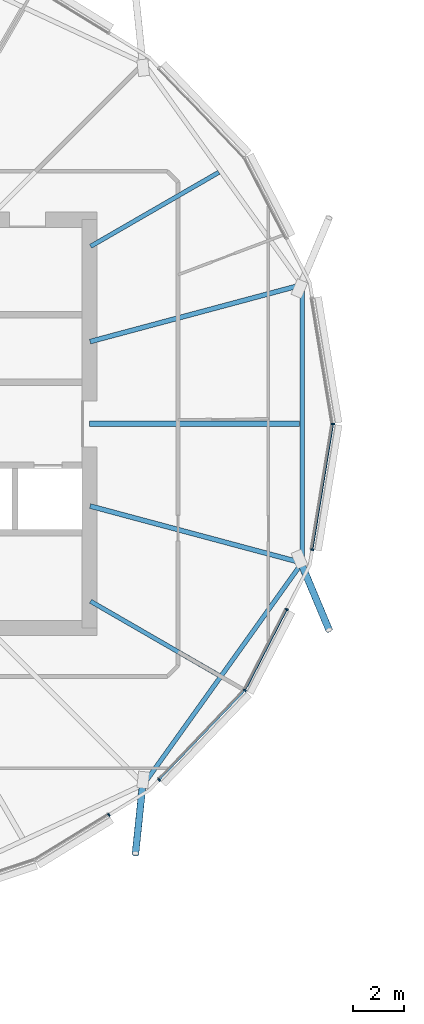
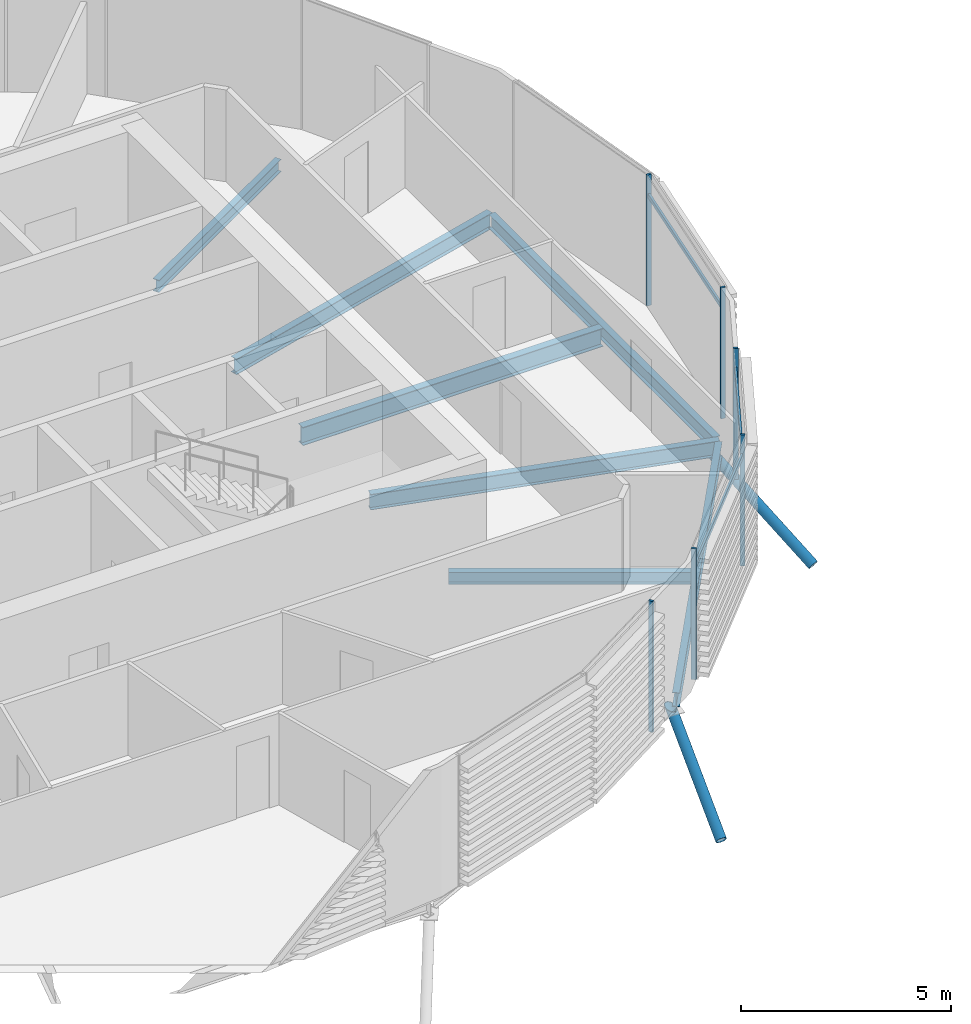
# One storey, part 6 of 36: 11 members, 7 beams, 1 element without a shape of its own.
"""IFC4 building model written with IfcOpenShell, lengths in metres."""

from ifc_helpers import new_model, si_unit, direction, frame, origin, origin_2d, place, context, subcontext, project, spatial, rectangle, hollow_circle, i_section, extrude, clip, halfspace, material, material_profile, profile_set, type_object, element, aggregate, save


model = new_model("IFC4")

# Units and contexts
model_context = context("Model", 3, precision=1e-05, world=origin(), true_north=direction((0.0, 1.0)))
body_context = subcontext(model_context, "Body", "Model", "MODEL_VIEW")
ifc_project = project(units=[si_unit("LENGTHUNIT", "METRE"), si_unit("AREAUNIT", "SQUARE_METRE"), si_unit("VOLUMEUNIT", "CUBIC_METRE"), si_unit("PLANEANGLEUNIT", "RADIAN"), si_unit("MASSUNIT", "GRAM", prefix="KILO")], contexts=[model_context])

# Site, building, storey
site_placement = place(None, origin())
site = spatial("IfcSite", under=ifc_project, at=site_placement, CompositionType="ELEMENT")
building_placement = place(site_placement, origin())
building = spatial("IfcBuilding", under=site, at=building_placement, Name="Rimbun Link Towers", CompositionType="ELEMENT")
storey_placement = place(building_placement, frame((0.0, 0.0, 200.699951171875)))
storey = spatial("IfcBuildingStorey", under=building, at=storey_placement, Name="L49", CompositionType="ELEMENT", Elevation=200.699951171875)

# Curtain wall, members
ifc_material_1 = material(Name="Aluminium 6063-T6 and low-iron glass", Category="aluminium")
curtain_wall_type = type_object("IfcCurtainWallType", Name="CW1-Z3 unitised vision wall (zone 3)", PredefinedType="NOTDEFINED", material=ifc_material_1)
curtain_wall_placement = place(storey_placement, origin())
curtain_wall = element("IfcCurtainWall", 1, at=curtain_wall_placement, inside=storey, type_object=curtain_wall_type, Name="CW1 L49 T1", PredefinedType="NOTDEFINED")
ifc_material_2 = material(Name="Aluminium 6063-T6", Category="aluminium")
ifc_material_profile_1 = material_profile(ifc_material_2, rectangle(XDim=0.1201171875, YDim=0.06005859375, at=origin_2d()), Name="MULLION 60X120")
ifc_profile_set_1 = profile_set([ifc_material_profile_1], Name="Aluminium 6063-T6")
member_type_1 = type_object("IfcMemberType", Name="CW1 mullion 60X120", PredefinedType="MULLION", material=ifc_profile_set_1)
member_1_placement = place(storey_placement, frame((-10.20654296875, 0.0, 0.0), z_axis=(0.0, 0.0, 1.0), x_axis=(1.0, 0.0, 0.0)))
member_1 = element("IfcMember", 2, at=member_1_placement, type_object=member_type_1, Name="CW1 mullion", PredefinedType="MULLION", context=body_context, shape_type="SweptSolid", body=[
    extrude(rectangle(XDim=0.1201171875, YDim=0.06005859375, at=origin_2d()), origin(), (0.0, 0.0, 1.0), 3.800048828125),
])
member_2_placement = place(storey_placement, frame((-18.98681640625, -15.327392578125, 0.0), z_axis=(0.0, 0.0, 1.0), x_axis=(0.523229231966, -0.852191980023, 0.0)))
member_2 = element("IfcMember", 3, at=member_2_placement, type_object=member_type_1, Name="CW1 mullion", PredefinedType="MULLION", context=body_context, shape_type="SweptSolid", body=[
    extrude(rectangle(XDim=0.1201171875, YDim=0.06005859375, at=origin_2d()), origin(), (0.0, 0.0, 1.0), 3.800048828125),
])
member_3_placement = place(storey_placement, frame((-13.660888671875, -10.450439453125, 0.0), z_axis=(0.0, 0.0, 1.0), x_axis=(0.813350615069, -0.581773819423, 0.0)))
member_3 = element("IfcMember", 4, at=member_3_placement, type_object=member_type_1, Name="CW1 mullion", PredefinedType="MULLION", context=body_context, shape_type="SweptSolid", body=[
    extrude(rectangle(XDim=0.1201171875, YDim=0.06005859375, at=origin_2d()), origin(), (0.0, 0.0, 1.0), 3.800048828125),
])
member_4_placement = place(storey_placement, frame((-17.017578125, -13.952880859375, 0.0), z_axis=(0.0, 0.0, 1.0), x_axis=(0.721858505917, -0.692040676143, 0.0)))
member_4 = element("IfcMember", 5, at=member_4_placement, type_object=member_type_1, Name="CW1 mullion", PredefinedType="MULLION", context=body_context, shape_type="SweptSolid", body=[
    extrude(rectangle(XDim=0.1201171875, YDim=0.06005859375, at=origin_2d()), origin(), (0.0, 0.0, 1.0), 3.800048828125),
])
member_5_placement = place(storey_placement, frame((-12.015869140625, -7.27294921875, 0.0), z_axis=(0.0, 0.0, 1.0), x_axis=(0.888144973035, -0.459563387219, 0.0)))
member_5 = element("IfcMember", 6, at=member_5_placement, type_object=member_type_1, Name="CW1 mullion", PredefinedType="MULLION", context=body_context, shape_type="SweptSolid", body=[
    extrude(rectangle(XDim=0.1201171875, YDim=0.06005859375, at=origin_2d()), origin(), (0.0, 0.0, 1.0), 3.800048828125),
])
member_6_placement = place(storey_placement, frame((-11.0166015625, -4.931396484375, 0.0), z_axis=(0.0, 0.0, 1.0), x_axis=(0.986749518868, -0.162251000037, 0.0)))
member_6 = element("IfcMember", 7, at=member_6_placement, type_object=member_type_1, Name="CW1 mullion", PredefinedType="MULLION", context=body_context, shape_type="SweptSolid", body=[
    extrude(rectangle(XDim=0.1201171875, YDim=0.06005859375, at=origin_2d()), origin(), (0.0, 0.0, 1.0), 3.800048828125),
])
ifc_material_3 = material(Name="Aluminium 6063-T6", Category="aluminium")
ifc_material_profile_2 = material_profile(ifc_material_3, rectangle(XDim=0.06005859375, YDim=0.1201171875, at=origin_2d()), Name="TRANSOM 60X120")
ifc_profile_set_2 = profile_set([ifc_material_profile_2], Name="Aluminium 6063-T6")
member_type_2 = type_object("IfcMemberType", Name="CW1 transom 60X120", PredefinedType="USERDEFINED", material=ifc_profile_set_2)
member_7_placement = place(storey_placement, frame((-13.6884765625, -10.477294921875, 3.199951171875), z_axis=(-0.692018439281, -0.721879823582, 0.0), x_axis=(0.721879823582, -0.692018439281, 0.0)))
member_7 = element("IfcMember", 8, at=member_7_placement, type_object=member_type_2, Name="CW1 transom", ObjectType="TRANSOM", PredefinedType="USERDEFINED", context=body_context, shape_type="SweptSolid", body=[
    extrude(rectangle(XDim=0.06005859375, YDim=0.1201171875, at=origin_2d()), origin(), (0.0, 0.0, 1.0), 4.782958984375),
])
member_8_placement = place(storey_placement, frame((-12.031494140625, -7.298828125, 3.199951171875), z_axis=(-0.45958189222, -0.888135397529, 0.0), x_axis=(0.888135397529, -0.45958189222, 0.0)))
member_8 = element("IfcMember", 9, at=member_8_placement, type_object=member_type_2, Name="CW1 transom", ObjectType="TRANSOM", PredefinedType="USERDEFINED", context=body_context, shape_type="SweptSolid", body=[
    extrude(rectangle(XDim=0.06005859375, YDim=0.1201171875, at=origin_2d()), origin(), (0.0, 0.0, 1.0), 3.50927734375),
])
member_9_placement = place(storey_placement, frame((-10.214111328125, -0.0390625, 3.199951171875), z_axis=(-0.162261450417, -0.986747800458, 0.0), x_axis=(0.986747800458, -0.162261450417, 0.0)))
member_9 = element("IfcMember", 10, at=member_9_placement, type_object=member_type_2, Name="CW1 transom", ObjectType="TRANSOM", PredefinedType="USERDEFINED", context=body_context, shape_type="SweptSolid", body=[
    extrude(rectangle(XDim=0.06005859375, YDim=0.1201171875, at=origin_2d()), origin(), (0.0, 0.0, 1.0), 4.927490234375),
])
aggregate(curtain_wall, [member_1, member_2, member_3, member_4, member_5, member_6, member_7, member_8, member_9])

# Members
ifc_material_4 = material(Name="Steel S355J2H", Category="steel")
ifc_material_profile_3 = material_profile(ifc_material_4, hollow_circle(Radius=0.136474609375, WallThickness=0.012451171875, at=origin_2d()), Name="CHS 273x12.5")
ifc_profile_set_3 = profile_set([ifc_material_profile_3], Name="Steel S355J2H")
member_type_3 = type_object("IfcMemberType", Name="Floor edge link CHS 273x12.5", PredefinedType="BRACE", material=ifc_profile_set_3)
member_10_placement = place(storey_placement, frame((-17.65869140625, -14.09130859375, -0.716552734375), z_axis=(-0.086451226254, -0.825394718619, -0.557897610638), x_axis=(0.994559566181, -0.104169426021, 0.0)))
element("IfcMember", 11, at=member_10_placement, inside=storey, type_object=member_type_3, Name="Floor edge link T1 L49 21", PredefinedType="BRACE", context=body_context, shape_type="Clipping", body=[
    clip(extrude(hollow_circle(Radius=0.136474609375, WallThickness=0.012451171875, at=origin_2d()), frame((0.0, 0.0, -0.424072265625)), (0.0, 0.0, 1.0), 3.781982421875), halfspace(frame((0.0, 0.0, -0.19921875), z_axis=(0.0, 0.829909787895, -0.557897610638)), False)),
])
member_11_placement = place(storey_placement, frame((-11.468505859375, -5.434326171875, -0.718017578125), z_axis=(0.324298932785, -0.773289879471, -0.544842146407), x_axis=(0.922187542688, 0.386742984566, 0.0)))
element("IfcMember", 12, at=member_11_placement, inside=storey, type_object=member_type_3, Name="Floor edge link T1 L49 23", PredefinedType="BRACE", context=body_context, shape_type="Clipping", body=[
    clip(extrude(hollow_circle(Radius=0.136474609375, WallThickness=0.012451171875, at=origin_2d()), frame((0.0, 0.0, -0.4384765625)), (0.0, 0.0, 1.0), 3.866943359375), halfspace(frame((0.0, 0.0, -0.206787109375), z_axis=(0.0, 0.838538630892, -0.544842146407)), False)),
])

# Beams
ifc_material_5 = material(Name="Steel S355J2", Category="steel")
ifc_material_profile_4 = material_profile(ifc_material_5, i_section(OverallWidth=0.17138671875, OverallDepth=0.35498046875, WebThickness=0.00732421875, FlangeThickness=0.011474609375, at=origin_2d()), Name="UB 356x171x51")
ifc_profile_set_4 = profile_set([ifc_material_profile_4], Name="Steel S355J2")
beam_type_1 = type_object("IfcBeamType", Name="UB 356x171x51", PredefinedType="BEAM", material=ifc_profile_set_4)
for number, where, z_axis, x_axis, name in (
    (13, (-19.706298828125, 6.95361328125, -0.327392578125), (0.866028645513, 0.499994385119, 0.0), (-0.499994385119, 0.866028645513, 0.0), "Radial beam T1 L49 02"),
    (14, (-19.706298828125, -6.95361328125, -0.327392578125), (0.866028645513, -0.499994385119, 0.0), (0.499994385119, 0.866028645513, 0.0), "Radial beam T1 L49 22"),
):
    element("IfcBeam", number, at=place(storey_placement, frame(where, z_axis=z_axis, x_axis=x_axis)), inside=storey, type_object=beam_type_1, Name=name, PredefinedType="BEAM", context=body_context, shape_type="SweptSolid", body=[
        extrude(i_section(OverallWidth=0.17138671875, OverallDepth=0.35498046875, WebThickness=0.00732421875, FlangeThickness=0.011474609375, at=origin_2d()), origin(), (0.0, 0.0, 1.0), 5.802734375),
    ])
ifc_material_6 = material(Name="Steel S355J2", Category="steel")
ifc_material_profile_5 = material_profile(ifc_material_6, i_section(OverallWidth=0.177978515625, OverallDepth=0.406494140625, WebThickness=0.0078125, FlangeThickness=0.0126953125, at=origin_2d()), Name="UB 406x178x60")
ifc_profile_set_5 = profile_set([ifc_material_profile_5], Name="Steel S355J2")
beam_type_2 = type_object("IfcBeamType", Name="UB 406x178x60", PredefinedType="BEAM", material=ifc_profile_set_5)
beam_1_placement = place(storey_placement, frame((-17.56689453125, -14.047607421875, -0.353271484375), z_axis=(0.581460981446, 0.813574291049, 0.0), x_axis=(-0.813574291049, 0.581460981446, 0.0)))
element("IfcBeam", 15, at=beam_1_placement, inside=storey, type_object=beam_type_2, Name="Edge beam T1 L49 21-23", PredefinedType="BEAM", context=body_context, shape_type="SweptSolid", body=[
    extrude(i_section(OverallWidth=0.177978515625, OverallDepth=0.406494140625, WebThickness=0.0078125, FlangeThickness=0.0126953125, at=origin_2d()), origin(), (0.0, 0.0, 1.0), 10.46875),
])
beam_2_placement = place(storey_placement, frame((-11.42041015625, -5.347900390625, -0.353271484375), z_axis=(0.0, 1.0, 0.0), x_axis=(-1.0, 0.0, 0.0)))
element("IfcBeam", 16, at=beam_2_placement, inside=storey, type_object=beam_type_2, Name="Edge beam T1 L49 23-01", PredefinedType="BEAM", context=body_context, shape_type="SweptSolid", body=[
    extrude(i_section(OverallWidth=0.177978515625, OverallDepth=0.406494140625, WebThickness=0.0078125, FlangeThickness=0.0126953125, at=origin_2d()), origin(), (0.0, 0.0, 1.0), 10.69580078125),
])
ifc_material_7 = material(Name="Steel S355J2", Category="steel")
ifc_material_profile_6 = material_profile(ifc_material_7, i_section(OverallWidth=0.18994140625, OverallDepth=0.453369140625, WebThickness=0.008544921875, FlangeThickness=0.0126953125, at=origin_2d()), Name="UB 457x191x67")
ifc_profile_set_6 = profile_set([ifc_material_profile_6], Name="Steel S355J2")
beam_type_3 = type_object("IfcBeamType", Name="UB 457x191x67", PredefinedType="BEAM", material=ifc_profile_set_6)
for number, where, z_axis, x_axis, name in (
    (17, (-19.724609375, 3.22216796875, -0.376708984375), (0.965925995479, 0.258818413677, 0.0), (-0.258818413677, 0.965925995479, 0.0), "Radial beam T1 L49 01"),
    (18, (-19.724609375, -3.22216796875, -0.376708984375), (0.965925995479, -0.258818413677, 0.0), (0.258818413677, 0.965925995479, 0.0), "Radial beam T1 L49 23"),
):
    element("IfcBeam", number, at=place(storey_placement, frame(where, z_axis=z_axis, x_axis=x_axis)), inside=storey, type_object=beam_type_3, Name=name, PredefinedType="BEAM", context=body_context, shape_type="SweptSolid", body=[
        extrude(i_section(OverallWidth=0.18994140625, OverallDepth=0.453369140625, WebThickness=0.008544921875, FlangeThickness=0.0126953125, at=origin_2d()), origin(), (0.0, 0.0, 1.0), 8.59716796875),
    ])
ifc_material_8 = material(Name="Steel S355J2", Category="steel")
ifc_material_profile_7 = material_profile(ifc_material_8, i_section(OverallWidth=0.209228515625, OverallDepth=0.533203125, WebThickness=0.010009765625, FlangeThickness=0.015625, at=origin_2d()), Name="UB 533x210x92")
ifc_profile_set_7 = profile_set([ifc_material_profile_7], Name="Steel S355J2")
beam_type_4 = type_object("IfcBeamType", Name="UB 533x210x92", PredefinedType="BEAM", material=ifc_profile_set_7)
beam_3_placement = place(storey_placement, frame((-19.7490234375, 0.0, -0.41650390625), z_axis=(1.0, 0.0, 0.0), x_axis=(0.0, 1.0, 0.0)))
element("IfcBeam", 19, at=beam_3_placement, inside=storey, type_object=beam_type_4, Name="Radial beam T1 L49 00", PredefinedType="BEAM", context=body_context, shape_type="SweptSolid", body=[
    extrude(i_section(OverallWidth=0.209228515625, OverallDepth=0.533203125, WebThickness=0.010009765625, FlangeThickness=0.015625, at=origin_2d()), origin(), (0.0, 0.0, 1.0), 8.23876953125),
])

save(model, "model.ifc")
